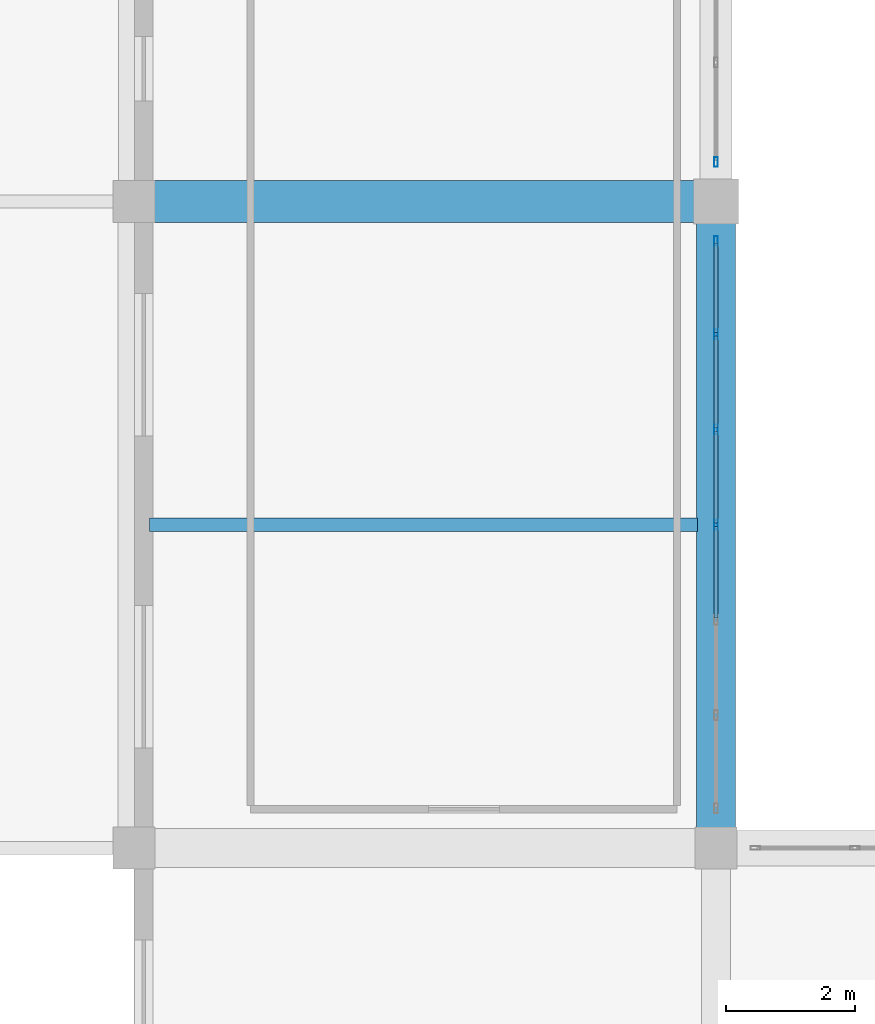
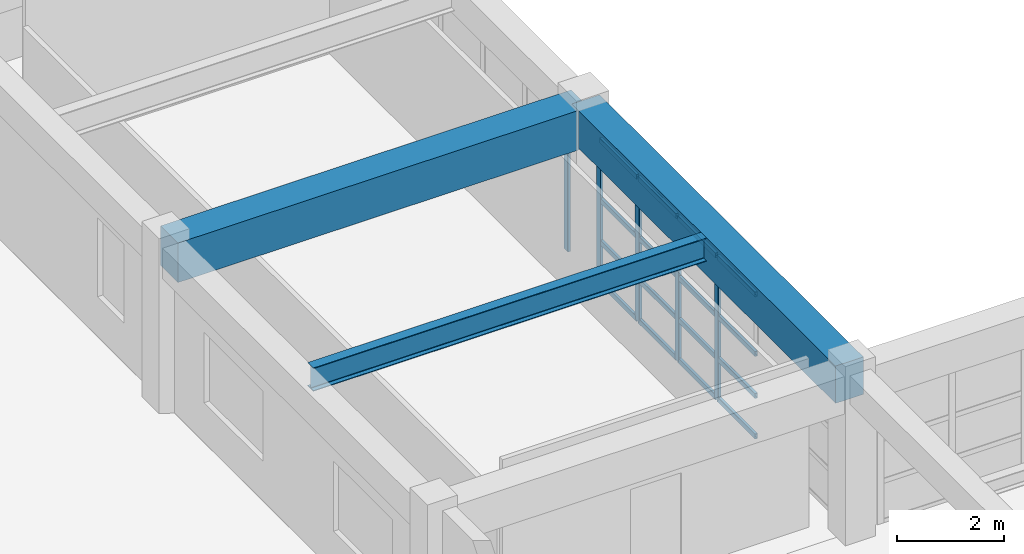
# One storey, part 51 of 130: 21 members, 3 beams, 2 elements without a shape of their own.
"""IFC4 building model written with IfcOpenShell, lengths in metres."""

from ifc_helpers import new_model, si_unit, direction, frame, origin, origin_2d, place, context, subcontext, project, spatial, rectangle, hollow_rectangle, i_section, extrude, material, material_profile, profile_set, type_object, element, aggregate, save


model = new_model("IFC4")

# Units and contexts
model_context = context("Model", 3, precision=1e-05, world=origin(), true_north=direction((0.0, 1.0)))
body_context = subcontext(model_context, "Body", "Model", "MODEL_VIEW")
ifc_project = project(units=[si_unit("LENGTHUNIT", "METRE"), si_unit("AREAUNIT", "SQUARE_METRE"), si_unit("VOLUMEUNIT", "CUBIC_METRE"), si_unit("PLANEANGLEUNIT", "RADIAN"), si_unit("MASSUNIT", "GRAM", prefix="KILO")], contexts=[model_context])

# Site, building, storey
site_placement = place(None, origin())
site = spatial("IfcSite", under=ifc_project, at=site_placement, CompositionType="ELEMENT")
building_placement = place(site_placement, origin())
building = spatial("IfcBuilding", under=site, at=building_placement, Name="Miravela Opera House", CompositionType="ELEMENT")
storey_placement = place(building_placement, frame((0.0, 0.0, 9.52001953125)))
storey = spatial("IfcBuildingStorey", under=building, at=storey_placement, Name="L02", CompositionType="ELEMENT", Elevation=9.52001953125)

# Curtain wall, members
ifc_material_1 = material(Name="Anodised architectural bronze aluminium 6063-T6", Category="aluminium")
curtain_wall_type = type_object("IfcCurtainWallType", Name="ARC-CW-05", PredefinedType="NOTDEFINED", material=ifc_material_1)
curtain_wall_1_placement = place(storey_placement, origin())
curtain_wall_1 = element("IfcCurtainWall", 1, at=curtain_wall_1_placement, inside=storey, type_object=curtain_wall_type, Name="Courtyard Arcade Curtain Wall CW-L02-097", PredefinedType="NOTDEFINED")
ifc_material_profile_1 = material_profile(ifc_material_1, hollow_rectangle(XDim=0.06005859375, YDim=0.14990234375, WallThickness=0.00390625, InnerFilletRadius=0.001953125, OuterFilletRadius=0.00390625, at=origin_2d()), Name="CWM-60X150")
ifc_profile_set_1 = profile_set([ifc_material_profile_1])
member_type_1 = type_object("IfcMemberType", Name="ARC-CWM-150", PredefinedType="MULLION", material=ifc_profile_set_1)
member_1_placement = place(storey_placement, frame((27.0, 89.0, 0.0), z_axis=(0.0, 0.0, 1.0), x_axis=(-1.0, 0.0, 0.0)))
member_1 = element("IfcMember", 2, at=member_1_placement, type_object=member_type_1, Name="CW-05 mullion 4", PredefinedType="MULLION", context=body_context, shape_type="SweptSolid", body=[
    extrude(hollow_rectangle(XDim=0.06005859375, YDim=0.14990234375, WallThickness=0.00390625, InnerFilletRadius=0.001953125, OuterFilletRadius=0.00390625, at=origin_2d()), origin(), (0.0, 0.0, 1.0), 3.2900390625),
])
member_2_placement = place(storey_placement, frame((27.0, 90.473388671875, 0.0), z_axis=(0.0, 0.0, 1.0), x_axis=(-1.0, 0.0, 0.0)))
member_2 = element("IfcMember", 3, at=member_2_placement, type_object=member_type_1, Name="CW-05 mullion 5", PredefinedType="MULLION", context=body_context, shape_type="SweptSolid", body=[
    extrude(hollow_rectangle(XDim=0.06005859375, YDim=0.14990234375, WallThickness=0.00390625, InnerFilletRadius=0.001953125, OuterFilletRadius=0.00390625, at=origin_2d()), origin(), (0.0, 0.0, 1.0), 3.2900390625),
])
member_3_placement = place(storey_placement, frame((27.0, 91.94677734375, 0.0), z_axis=(0.0, 0.0, 1.0), x_axis=(-1.0, 0.0, 0.0)))
member_3 = element("IfcMember", 4, at=member_3_placement, type_object=member_type_1, Name="CW-05 mullion 6", PredefinedType="MULLION", context=body_context, shape_type="SweptSolid", body=[
    extrude(hollow_rectangle(XDim=0.06005859375, YDim=0.14990234375, WallThickness=0.00390625, InnerFilletRadius=0.001953125, OuterFilletRadius=0.00390625, at=origin_2d()), origin(), (0.0, 0.0, 1.0), 3.2900390625),
])
member_4_placement = place(storey_placement, frame((27.0, 93.389892578125, 0.0), z_axis=(0.0, 0.0, 1.0), x_axis=(-1.0, 0.0, 0.0)))
member_4 = element("IfcMember", 5, at=member_4_placement, type_object=member_type_1, Name="CW-05 mullion 7", PredefinedType="MULLION", context=body_context, shape_type="SweptSolid", body=[
    extrude(hollow_rectangle(XDim=0.06005859375, YDim=0.14990234375, WallThickness=0.00390625, InnerFilletRadius=0.001953125, OuterFilletRadius=0.00390625, at=origin_2d()), origin(), (0.0, 0.0, 1.0), 3.2900390625),
])

# Curtain wall, member
curtain_wall_2_placement = place(storey_placement, origin())
curtain_wall_2 = element("IfcCurtainWall", 6, at=curtain_wall_2_placement, inside=storey, type_object=curtain_wall_type, Name="Courtyard Arcade Curtain Wall CW-L02-098", PredefinedType="NOTDEFINED")
member_5_placement = place(storey_placement, frame((27.0, 94.610107421875, 0.0), z_axis=(0.0, 0.0, 1.0), x_axis=(-1.0, 0.0, 0.0)))
member_5 = element("IfcMember", 7, at=member_5_placement, type_object=member_type_1, Name="CW-05 mullion 1", PredefinedType="MULLION", context=body_context, shape_type="SweptSolid", body=[
    extrude(hollow_rectangle(XDim=0.06005859375, YDim=0.14990234375, WallThickness=0.00390625, InnerFilletRadius=0.001953125, OuterFilletRadius=0.00390625, at=origin_2d()), origin(), (0.0, 0.0, 1.0), 3.2900390625),
])
aggregate(curtain_wall_2, [member_5])

# Member
ifc_material_profile_2 = material_profile(ifc_material_1, hollow_rectangle(XDim=0.06005859375, YDim=0.114990234375, WallThickness=0.00390625, InnerFilletRadius=0.001953125, OuterFilletRadius=0.00390625, at=origin_2d()), Name="CWT-60X115")
ifc_profile_set_2 = profile_set([ifc_material_profile_2])
member_type_2 = type_object("IfcMemberType", Name="ARC-CWT-115", PredefinedType="USERDEFINED", material=ifc_profile_set_2)
member_6_placement = place(storey_placement, frame((27.0, 87.556640625, 0.030029296875), z_axis=(0.0, 1.0, 0.0), x_axis=(-1.0, 0.0, 0.0)))
member_6 = element("IfcMember", 8, at=member_6_placement, type_object=member_type_2, Name="CW-05 transom 3.1", ObjectType="TRANSOM", PredefinedType="USERDEFINED", context=body_context, shape_type="SweptSolid", body=[
    extrude(hollow_rectangle(XDim=0.06005859375, YDim=0.114990234375, WallThickness=0.00390625, InnerFilletRadius=0.001953125, OuterFilletRadius=0.00390625, at=origin_2d()), origin(), (0.0, 0.0, 1.0), 1.413330078125),
])

member_7_placement = place(storey_placement, frame((27.0, 87.556640625, 0.949951171875), z_axis=(0.0, 1.0, 0.0), x_axis=(-1.0, 0.0, 0.0)))
member_7 = element("IfcMember", 9, at=member_7_placement, type_object=member_type_2, Name="CW-05 transom 3.2", ObjectType="TRANSOM", PredefinedType="USERDEFINED", context=body_context, shape_type="SweptSolid", body=[
    extrude(hollow_rectangle(XDim=0.06005859375, YDim=0.114990234375, WallThickness=0.00390625, InnerFilletRadius=0.001953125, OuterFilletRadius=0.00390625, at=origin_2d()), origin(), (0.0, 0.0, 1.0), 1.413330078125),
])

member_8_placement = place(storey_placement, frame((27.0, 87.556640625, 1.908203125), z_axis=(0.0, 1.0, 0.0), x_axis=(-1.0, 0.0, 0.0)))
member_8 = element("IfcMember", 10, at=member_8_placement, type_object=member_type_2, Name="CW-05 transom 3.3", ObjectType="TRANSOM", PredefinedType="USERDEFINED", context=body_context, shape_type="SweptSolid", body=[
    extrude(hollow_rectangle(XDim=0.06005859375, YDim=0.114990234375, WallThickness=0.00390625, InnerFilletRadius=0.001953125, OuterFilletRadius=0.00390625, at=origin_2d()), origin(), (0.0, 0.0, 1.0), 1.413330078125),
])

member_9_placement = place(storey_placement, frame((27.0, 87.556640625, 3.260009765625), z_axis=(0.0, 1.0, 0.0), x_axis=(-1.0, 0.0, 0.0)))
member_9 = element("IfcMember", 11, at=member_9_placement, type_object=member_type_2, Name="CW-05 transom 3.4", ObjectType="TRANSOM", PredefinedType="USERDEFINED", context=body_context, shape_type="SweptSolid", body=[
    extrude(hollow_rectangle(XDim=0.06005859375, YDim=0.114990234375, WallThickness=0.00390625, InnerFilletRadius=0.001953125, OuterFilletRadius=0.00390625, at=origin_2d()), origin(), (0.0, 0.0, 1.0), 1.413330078125),
])

member_10_placement = place(storey_placement, frame((27.0, 89.030029296875, 0.030029296875), z_axis=(0.0, 1.0, 0.0), x_axis=(-1.0, 0.0, 0.0)))
member_10 = element("IfcMember", 12, at=member_10_placement, type_object=member_type_2, Name="CW-05 transom 4.1", ObjectType="TRANSOM", PredefinedType="USERDEFINED", context=body_context, shape_type="SweptSolid", body=[
    extrude(hollow_rectangle(XDim=0.06005859375, YDim=0.114990234375, WallThickness=0.00390625, InnerFilletRadius=0.001953125, OuterFilletRadius=0.00390625, at=origin_2d()), origin(), (0.0, 0.0, 1.0), 1.413330078125),
])

member_11_placement = place(storey_placement, frame((27.0, 89.030029296875, 0.949951171875), z_axis=(0.0, 1.0, 0.0), x_axis=(-1.0, 0.0, 0.0)))
member_11 = element("IfcMember", 13, at=member_11_placement, type_object=member_type_2, Name="CW-05 transom 4.2", ObjectType="TRANSOM", PredefinedType="USERDEFINED", context=body_context, shape_type="SweptSolid", body=[
    extrude(hollow_rectangle(XDim=0.06005859375, YDim=0.114990234375, WallThickness=0.00390625, InnerFilletRadius=0.001953125, OuterFilletRadius=0.00390625, at=origin_2d()), origin(), (0.0, 0.0, 1.0), 1.413330078125),
])

member_12_placement = place(storey_placement, frame((27.0, 89.030029296875, 1.908203125), z_axis=(0.0, 1.0, 0.0), x_axis=(-1.0, 0.0, 0.0)))
member_12 = element("IfcMember", 14, at=member_12_placement, type_object=member_type_2, Name="CW-05 transom 4.3", ObjectType="TRANSOM", PredefinedType="USERDEFINED", context=body_context, shape_type="SweptSolid", body=[
    extrude(hollow_rectangle(XDim=0.06005859375, YDim=0.114990234375, WallThickness=0.00390625, InnerFilletRadius=0.001953125, OuterFilletRadius=0.00390625, at=origin_2d()), origin(), (0.0, 0.0, 1.0), 1.413330078125),
])

member_13_placement = place(storey_placement, frame((27.0, 89.030029296875, 3.260009765625), z_axis=(0.0, 1.0, 0.0), x_axis=(-1.0, 0.0, 0.0)))
member_13 = element("IfcMember", 15, at=member_13_placement, type_object=member_type_2, Name="CW-05 transom 4.4", ObjectType="TRANSOM", PredefinedType="USERDEFINED", context=body_context, shape_type="SweptSolid", body=[
    extrude(hollow_rectangle(XDim=0.06005859375, YDim=0.114990234375, WallThickness=0.00390625, InnerFilletRadius=0.001953125, OuterFilletRadius=0.00390625, at=origin_2d()), origin(), (0.0, 0.0, 1.0), 1.413330078125),
])

member_14_placement = place(storey_placement, frame((27.0, 90.50341796875, 0.030029296875), z_axis=(0.0, 1.0, 0.0), x_axis=(-1.0, 0.0, 0.0)))
member_14 = element("IfcMember", 16, at=member_14_placement, type_object=member_type_2, Name="CW-05 transom 5.1", ObjectType="TRANSOM", PredefinedType="USERDEFINED", context=body_context, shape_type="SweptSolid", body=[
    extrude(hollow_rectangle(XDim=0.06005859375, YDim=0.114990234375, WallThickness=0.00390625, InnerFilletRadius=0.001953125, OuterFilletRadius=0.00390625, at=origin_2d()), origin(), (0.0, 0.0, 1.0), 1.413330078125),
])

member_15_placement = place(storey_placement, frame((27.0, 90.50341796875, 0.949951171875), z_axis=(0.0, 1.0, 0.0), x_axis=(-1.0, 0.0, 0.0)))
member_15 = element("IfcMember", 17, at=member_15_placement, type_object=member_type_2, Name="CW-05 transom 5.2", ObjectType="TRANSOM", PredefinedType="USERDEFINED", context=body_context, shape_type="SweptSolid", body=[
    extrude(hollow_rectangle(XDim=0.06005859375, YDim=0.114990234375, WallThickness=0.00390625, InnerFilletRadius=0.001953125, OuterFilletRadius=0.00390625, at=origin_2d()), origin(), (0.0, 0.0, 1.0), 1.413330078125),
])

member_16_placement = place(storey_placement, frame((27.0, 90.50341796875, 1.908203125), z_axis=(0.0, 1.0, 0.0), x_axis=(-1.0, 0.0, 0.0)))
member_16 = element("IfcMember", 18, at=member_16_placement, type_object=member_type_2, Name="CW-05 transom 5.3", ObjectType="TRANSOM", PredefinedType="USERDEFINED", context=body_context, shape_type="SweptSolid", body=[
    extrude(hollow_rectangle(XDim=0.06005859375, YDim=0.114990234375, WallThickness=0.00390625, InnerFilletRadius=0.001953125, OuterFilletRadius=0.00390625, at=origin_2d()), origin(), (0.0, 0.0, 1.0), 1.413330078125),
])

member_17_placement = place(storey_placement, frame((27.0, 90.50341796875, 3.260009765625), z_axis=(0.0, 1.0, 0.0), x_axis=(-1.0, 0.0, 0.0)))
member_17 = element("IfcMember", 19, at=member_17_placement, type_object=member_type_2, Name="CW-05 transom 5.4", ObjectType="TRANSOM", PredefinedType="USERDEFINED", context=body_context, shape_type="SweptSolid", body=[
    extrude(hollow_rectangle(XDim=0.06005859375, YDim=0.114990234375, WallThickness=0.00390625, InnerFilletRadius=0.001953125, OuterFilletRadius=0.00390625, at=origin_2d()), origin(), (0.0, 0.0, 1.0), 1.413330078125),
])

member_18_placement = place(storey_placement, frame((27.0, 91.9765625, 0.030029296875), z_axis=(0.0, 1.0, 0.0), x_axis=(-1.0, 0.0, 0.0)))
member_18 = element("IfcMember", 20, at=member_18_placement, type_object=member_type_2, Name="CW-05 transom 6.1", ObjectType="TRANSOM", PredefinedType="USERDEFINED", context=body_context, shape_type="SweptSolid", body=[
    extrude(hollow_rectangle(XDim=0.06005859375, YDim=0.114990234375, WallThickness=0.00390625, InnerFilletRadius=0.001953125, OuterFilletRadius=0.00390625, at=origin_2d()), origin(), (0.0, 0.0, 1.0), 1.383544921875),
])

member_19_placement = place(storey_placement, frame((27.0, 91.9765625, 0.949951171875), z_axis=(0.0, 1.0, 0.0), x_axis=(-1.0, 0.0, 0.0)))
member_19 = element("IfcMember", 21, at=member_19_placement, type_object=member_type_2, Name="CW-05 transom 6.2", ObjectType="TRANSOM", PredefinedType="USERDEFINED", context=body_context, shape_type="SweptSolid", body=[
    extrude(hollow_rectangle(XDim=0.06005859375, YDim=0.114990234375, WallThickness=0.00390625, InnerFilletRadius=0.001953125, OuterFilletRadius=0.00390625, at=origin_2d()), origin(), (0.0, 0.0, 1.0), 1.383544921875),
])

member_20_placement = place(storey_placement, frame((27.0, 91.9765625, 1.908203125), z_axis=(0.0, 1.0, 0.0), x_axis=(-1.0, 0.0, 0.0)))
member_20 = element("IfcMember", 22, at=member_20_placement, type_object=member_type_2, Name="CW-05 transom 6.3", ObjectType="TRANSOM", PredefinedType="USERDEFINED", context=body_context, shape_type="SweptSolid", body=[
    extrude(hollow_rectangle(XDim=0.06005859375, YDim=0.114990234375, WallThickness=0.00390625, InnerFilletRadius=0.001953125, OuterFilletRadius=0.00390625, at=origin_2d()), origin(), (0.0, 0.0, 1.0), 1.383544921875),
])

member_21_placement = place(storey_placement, frame((27.0, 91.9765625, 3.260009765625), z_axis=(0.0, 1.0, 0.0), x_axis=(-1.0, 0.0, 0.0)))
member_21 = element("IfcMember", 23, at=member_21_placement, type_object=member_type_2, Name="CW-05 transom 6.4", ObjectType="TRANSOM", PredefinedType="USERDEFINED", context=body_context, shape_type="SweptSolid", body=[
    extrude(hollow_rectangle(XDim=0.06005859375, YDim=0.114990234375, WallThickness=0.00390625, InnerFilletRadius=0.001953125, OuterFilletRadius=0.00390625, at=origin_2d()), origin(), (0.0, 0.0, 1.0), 1.383544921875),
])

aggregate(curtain_wall_1, [member_1, member_2, member_3, member_4, member_6, member_7, member_8, member_9, member_10, member_11, member_12, member_13, member_14, member_15, member_16, member_17, member_18, member_19, member_20, member_21])

# Beams
ifc_material_2 = material(Name="Concrete C40/50", Category="concrete")
ifc_material_profile_3 = material_profile(ifc_material_2, rectangle(XDim=0.60009765625, YDim=0.85009765625, at=origin_2d()), Name="RC-BM-600X850")
ifc_profile_set_3 = profile_set([ifc_material_profile_3])
beam_type_1 = type_object("IfcBeamType", Name="STR-BM-RC600X850", PredefinedType="BEAM", material=ifc_profile_set_3)
beam_1_placement = place(storey_placement, frame((27.0, 84.080078125, 3.4150390625), z_axis=(0.0, 1.0, 0.0), x_axis=(-1.0, 0.0, 0.0)))
element("IfcBeam", 24, at=beam_1_placement, inside=storey, type_object=beam_type_1, Name="Floor Girder L02 4/J-K", PredefinedType="BEAM", context=body_context, shape_type="SweptSolid", body=[
    extrude(rectangle(XDim=0.60009765625, YDim=0.85009765625, at=origin_2d()), origin(), (0.0, 0.0, 1.0), 9.83984375),
])
ifc_material_profile_4 = material_profile(ifc_material_2, rectangle(XDim=0.64990234375, YDim=0.89990234375, at=origin_2d()), Name="RC-BM-650X900")
ifc_profile_set_4 = profile_set([ifc_material_profile_4])
beam_type_2 = type_object("IfcBeamType", Name="STR-BM-RC650X900", PredefinedType="BEAM", material=ifc_profile_set_4)
beam_2_placement = place(storey_placement, frame((18.080078125, 94.0, 3.389892578125), z_axis=(1.0, 0.0, 0.0), x_axis=(0.0, 1.0, 0.0)))
element("IfcBeam", 25, at=beam_2_placement, inside=storey, type_object=beam_type_2, Name="Floor Girder L02 3-4/K", PredefinedType="BEAM", context=body_context, shape_type="SweptSolid", body=[
    extrude(rectangle(XDim=0.64990234375, YDim=0.89990234375, at=origin_2d()), origin(), (0.0, 0.0, 1.0), 8.83984375),
])
ifc_material_3 = material(Name="Structural steel ASTM A992 Gr. 50", Category="steel")
ifc_material_profile_5 = material_profile(ifc_material_3, i_section(OverallWidth=0.208984375, OverallDepth=0.532958984375, WebThickness=0.01025390625, FlangeThickness=0.015625, FilletRadius=0.014892578125, at=origin_2d()), Name="W530X92")
ifc_profile_set_5 = profile_set([ifc_material_profile_5])
beam_type_3 = type_object("IfcBeamType", Name="STR-BM-W530X92", PredefinedType="BEAM", material=ifc_profile_set_5)
beam_3_placement = place(storey_placement, frame((18.235107421875, 89.0, 3.573486328125), z_axis=(1.0, 0.0, 0.0), x_axis=(0.0, 1.0, 0.0)))
element("IfcBeam", 26, at=beam_3_placement, inside=storey, type_object=beam_type_3, Name="Secondary Floor Joist L02 3-4/J-K", PredefinedType="BEAM", context=body_context, shape_type="SweptSolid", body=[
    extrude(i_section(OverallWidth=0.208984375, OverallDepth=0.532958984375, WebThickness=0.01025390625, FlangeThickness=0.015625, FilletRadius=0.014892578125, at=origin_2d()), origin(), (0.0, 0.0, 1.0), 8.47998046875),
])

save(model, "model.ifc")
